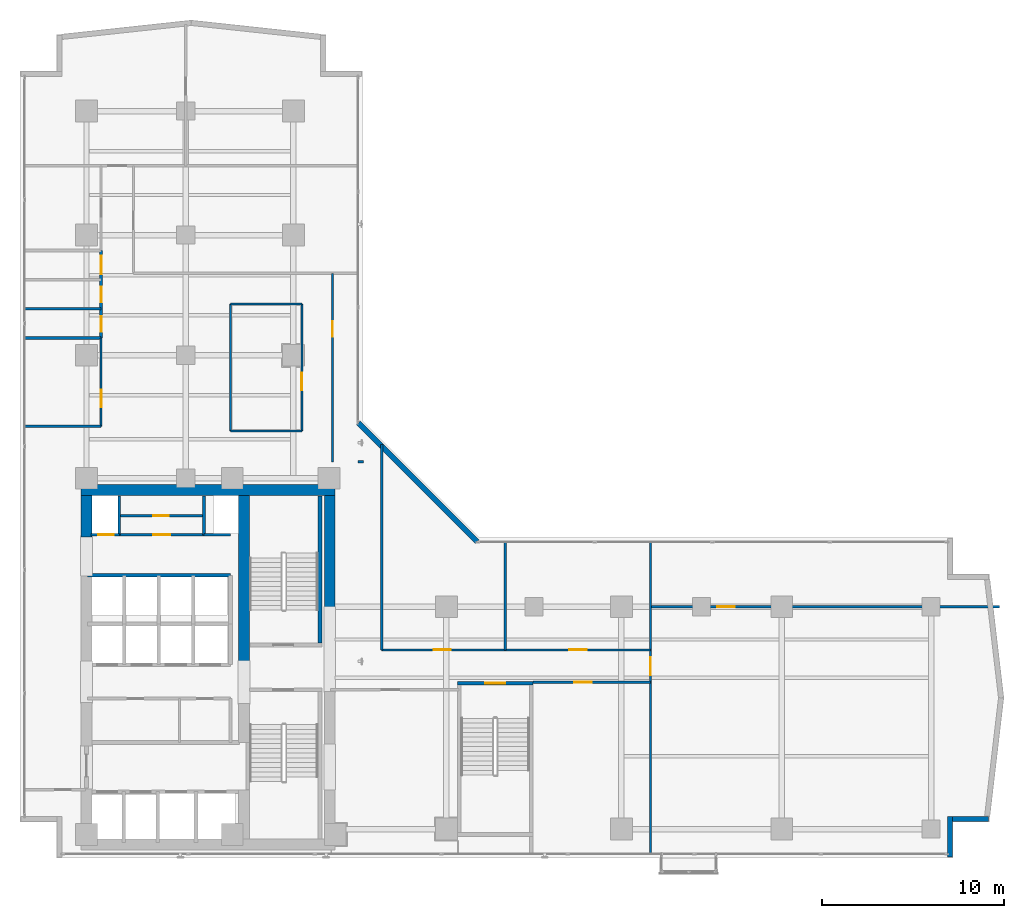
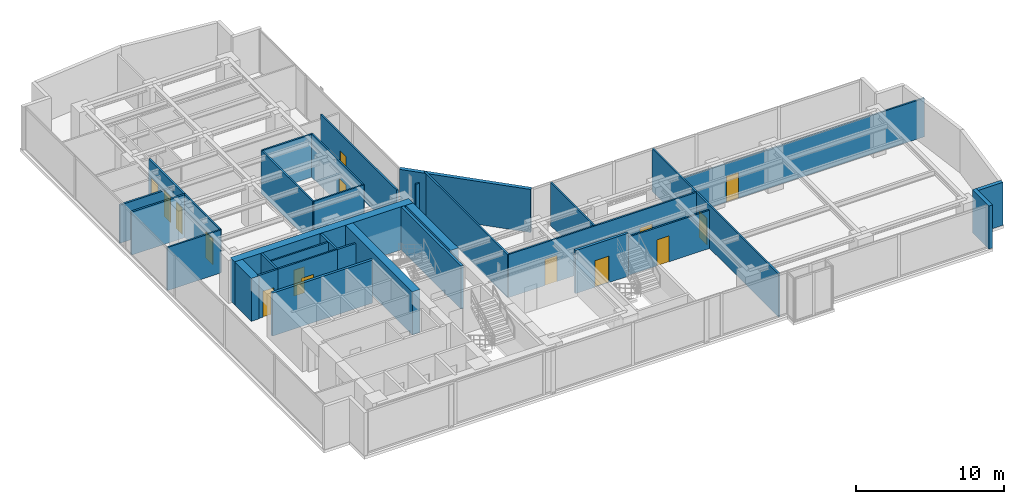
# One storey, part 20 of 26: 33 walls, 15 doors, 15 openings.
"""IFC4 building model written with IfcOpenShell, lengths in metres."""

from ifc_helpers import new_model, si_unit, direction, frame, frame_2d, origin, place, context, subcontext, project, spatial, rectangle, extrude, material, layer, layer_set, type_object, element, fill, save


model = new_model("IFC4")

# Units and contexts
model_context = context("Model", 3, precision=1e-05, world=origin(), true_north=direction((0.0, 1.0)))
body_context = subcontext(model_context, "Body", "Model", "MODEL_VIEW")
ifc_project = project(units=[si_unit("LENGTHUNIT", "METRE"), si_unit("AREAUNIT", "SQUARE_METRE"), si_unit("VOLUMEUNIT", "CUBIC_METRE"), si_unit("PLANEANGLEUNIT", "RADIAN"), si_unit("MASSUNIT", "GRAM", prefix="KILO")], contexts=[model_context])

# Site, building, storey
site_placement = place(None, origin())
site = spatial("IfcSite", under=ifc_project, at=site_placement, CompositionType="ELEMENT")
building_placement = place(site_placement, origin())
building = spatial("IfcBuilding", under=site, at=building_placement, Name="Kolvaren Waterfront Exchange", CompositionType="ELEMENT")
storey_placement = place(building_placement, frame((0.0, 0.0, 180.39990234375)))
storey = spatial("IfcBuildingStorey", under=building, at=storey_placement, Name="L46", CompositionType="ELEMENT", Elevation=180.39990234375)

# Walls
ifc_material_1 = material(Name="Precast concrete C40/50", Category="concrete")
ifc_layer_1 = layer(ifc_material_1, 0.280029296875, Name="Precast concrete C40/50")
ifc_layer_set_1 = layer_set([ifc_layer_1], Name="Precast concrete C40/50")
wall_type_1 = type_object("IfcWallType", Name="ARC-EXT-TERR-280", PredefinedType="SOLIDWALL", material=ifc_layer_set_1)
wall_1_placement = place(storey_placement, frame((54.840087890625, 3.659912109375, 0.0), z_axis=(0.0, 0.0, 1.0), x_axis=(0.0, 1.0, 0.0)))
element("IfcWall", 1, at=wall_1_placement, inside=storey, type_object=wall_type_1, Name="L46 notched corner spandrel pier SE-A", PredefinedType="SOLIDWALL", context=body_context, shape_type="SweptSolid", body=[
    extrude(rectangle(XDim=2.239990234375, YDim=0.280029296875, at=frame_2d((1.1201171875, 0.0))), origin(), (0.0, 0.0, 1.0), 3.56005859375),
])
wall_2_placement = place(storey_placement, frame((54.97998046875, 5.760009765625, 0.0), z_axis=(0.0, 0.0, 1.0), x_axis=(1.0, 0.0, 0.0)))
element("IfcWall", 2, at=wall_2_placement, inside=storey, type_object=wall_type_1, Name="L46 notched corner spandrel pier SE-B", PredefinedType="SOLIDWALL", context=body_context, shape_type="SweptSolid", body=[
    extrude(rectangle(XDim=1.9599609375, YDim=0.280029296875, at=frame_2d((0.97998046875, 0.0))), origin(), (0.0, 0.0, 1.0), 3.56005859375),
])
wall_3_placement = place(storey_placement, frame((28.885009765625, 20.97509765625, 0.0), z_axis=(0.0, 0.0, 1.0), x_axis=(-0.707106781187, 0.707106781187, 0.0)))
element("IfcWall", 3, at=wall_3_placement, inside=storey, type_object=wall_type_1, Name="L46 notched corner spandrel pier ELBOW", PredefinedType="SOLIDWALL", context=body_context, shape_type="SweptSolid", body=[
    extrude(rectangle(XDim=9.20654296875, YDim=0.280029296875, at=frame_2d((4.603271484375, 0.0))), origin(), (0.0, 0.0, 1.0), 3.56005859375),
])

# Wall, opening, door
ifc_material_2 = material(Name="Acoustic gypsum steel stud", Category="steel")
ifc_layer_2 = layer(ifc_material_2, 0.125, Name="Acoustic gypsum steel stud")
ifc_layer_set_2 = layer_set([ifc_layer_2], Name="Acoustic gypsum steel stud")
wall_type_2 = type_object("IfcWallType", Name="ARC-PART-125", PredefinedType="PARTITIONING", material=ifc_layer_set_2)
wall_4_placement = place(storey_placement, frame((9.25, 21.35009765625, 0.0), z_axis=(0.0, 0.0, 1.0), x_axis=(1.0, 0.0, 0.0)))
wall_4 = element("IfcWall", 4, at=wall_4_placement, inside=storey, type_object=wall_type_2, Name="L46 interior wall PW-L46-SVC-EX-S", PredefinedType="PARTITIONING", context=body_context, shape_type="SweptSolid", body=[
    extrude(rectangle(XDim=4.64990234375, YDim=0.125, at=frame_2d((2.324951171875, 0.0))), origin(), (0.0, 0.0, 1.0), 3.56005859375),
])
opening_1_placement = place(wall_4_placement, frame((1.85009765625, 0.0, 0.0)))
opening_1 = element("IfcOpeningElement", 5, at=opening_1_placement, cuts=wall_4, Name="Opening D02", PredefinedType="OPENING", context=body_context, shape_type="SweptSolid", body=[
    extrude(rectangle(XDim=0.949951171875, YDim=2.14990234375, at=frame_2d((0.47509765625, 1.074951171875))), frame((0.0, 0.072509765625, 0.0), z_axis=(0.0, -1.0, 0.0), x_axis=(1.0, 0.0, 0.0)), (0.0, 0.0, 1.0), 0.14501953125),
])
ifc_material_3 = material(Name="Oak veneer acoustic timber", Category="wood")
door_type_1 = type_object("IfcDoorType", Name="ARC-DR-950", OperationType="NOTDEFINED", PredefinedType="DOOR", material=ifc_material_3)
door_1_placement = place(opening_1_placement, origin())
door_1 = element("IfcDoor", 6, at=door_1_placement, inside=storey, type_object=door_type_1, Name="L46 door DR-L46-SVC-DR-1 (D02)", OperationType="SINGLE_SWING_LEFT", OverallHeight=2.14990234375, OverallWidth=0.949951171875, PredefinedType="DOOR", context=body_context, shape_type="SweptSolid", body=[
    extrude(rectangle(XDim=0.949951171875, YDim=2.14990234375, at=frame_2d((0.47509765625, 1.074951171875))), frame((0.0, 0.02490234375, 0.0), z_axis=(0.0, -1.0, 0.0), x_axis=(1.0, 0.0, 0.0)), (0.0, 0.0, 1.0), 0.050048828125),
])
fill(opening_1, door_1)

wall_5_placement = place(storey_placement, frame((9.25, 22.39990234375, 0.0), z_axis=(0.0, 0.0, 1.0), x_axis=(1.0, 0.0, 0.0)))
wall_5 = element("IfcWall", 7, at=wall_5_placement, inside=storey, type_object=wall_type_2, Name="L46 interior wall PW-L46-SVC-EX-HS", PredefinedType="PARTITIONING", context=body_context, shape_type="SweptSolid", body=[
    extrude(rectangle(XDim=4.64990234375, YDim=0.125, at=frame_2d((2.324951171875, 0.0))), origin(), (0.0, 0.0, 1.0), 3.56005859375),
])
opening_2_placement = place(wall_5_placement, frame((1.875, 0.0, 0.0)))
opening_2 = element("IfcOpeningElement", 8, at=opening_2_placement, cuts=wall_5, Name="Opening D01", PredefinedType="OPENING", context=body_context, shape_type="SweptSolid", body=[
    extrude(rectangle(XDim=0.85009765625, YDim=2.14990234375, at=frame_2d((0.425048828125, 1.074951171875))), frame((0.0, 0.072509765625, 0.0), z_axis=(0.0, -1.0, 0.0), x_axis=(1.0, 0.0, 0.0)), (0.0, 0.0, 1.0), 0.14501953125),
])
ifc_material_4 = material(Name="Oak veneer timber leaf", Category="wood")
door_type_2 = type_object("IfcDoorType", Name="ARC-DR-900", OperationType="NOTDEFINED", PredefinedType="DOOR", material=ifc_material_4)
door_2_placement = place(opening_2_placement, origin())
door_2 = element("IfcDoor", 9, at=door_2_placement, inside=storey, type_object=door_type_2, Name="L46 door DR-L46-SVC-DR-2 (D01)", OperationType="SINGLE_SWING_RIGHT", OverallHeight=2.14990234375, OverallWidth=0.85009765625, PredefinedType="DOOR", context=body_context, shape_type="SweptSolid", body=[
    extrude(rectangle(XDim=0.85009765625, YDim=2.14990234375, at=frame_2d((0.425048828125, 1.074951171875))), frame((0.0, 0.02490234375, 0.0), z_axis=(0.0, -1.0, 0.0), x_axis=(1.0, 0.0, 0.0)), (0.0, 0.0, 1.0), 0.050048828125),
])
fill(opening_2, door_2)

# Walls
for number, where, z_axis, x_axis, name in (
    (10, (15.35009765625, 27.050048828125, 0.0), (0.0, 0.0, 1.0), (1.0, 0.0, 0.0), "L46 interior wall PW-L46-ISL-S"),
    (11, (15.35009765625, 34.02001953125, 0.0), (0.0, 0.0, 1.0), (1.0, 0.0, 0.0), "L46 interior wall PW-L46-ISL-N"),
):
    element("IfcWall", number, at=place(storey_placement, frame(where, z_axis=z_axis, x_axis=x_axis)), inside=storey, type_object=wall_type_2, Name=name, PredefinedType="PARTITIONING", context=body_context, shape_type="SweptSolid", body=[
        extrude(rectangle(XDim=3.919921875, YDim=0.125, at=frame_2d((1.9599609375, 0.0))), origin(), (0.0, 0.0, 1.0), 3.56005859375),
    ])
wall_6_placement = place(storey_placement, frame((15.35009765625, 27.050048828125, 0.0), z_axis=(0.0, 0.0, 1.0), x_axis=(0.0, 1.0, 0.0)))
element("IfcWall", 12, at=wall_6_placement, inside=storey, type_object=wall_type_2, Name="L46 interior wall PW-L46-ISL-W", PredefinedType="PARTITIONING", context=body_context, shape_type="SweptSolid", body=[
    extrude(rectangle(XDim=6.969970703125, YDim=0.125, at=frame_2d((3.48486328125, 0.0))), origin(), (0.0, 0.0, 1.0), 3.56005859375),
])

# Wall, opening, door
wall_7_placement = place(storey_placement, frame((19.27001953125, 27.050048828125, 0.0), z_axis=(0.0, 0.0, 1.0), x_axis=(0.0, 1.0, 0.0)))
wall_7 = element("IfcWall", 13, at=wall_7_placement, inside=storey, type_object=wall_type_2, Name="L46 interior wall PW-L46-ISL-E", PredefinedType="PARTITIONING", context=body_context, shape_type="SweptSolid", body=[
    extrude(rectangle(XDim=6.969970703125, YDim=0.125, at=frame_2d((3.48486328125, 0.0))), origin(), (0.0, 0.0, 1.0), 3.56005859375),
])
opening_3_placement = place(wall_7_placement, frame((2.23681640625, 0.0, 0.0)))
opening_3 = element("IfcOpeningElement", 14, at=opening_3_placement, cuts=wall_7, Name="Opening D02", PredefinedType="OPENING", context=body_context, shape_type="SweptSolid", body=[
    extrude(rectangle(XDim=0.949951171875, YDim=2.14990234375, at=frame_2d((0.47509765625, 1.074951171875))), frame((0.0, 0.072509765625, 0.0), z_axis=(0.0, -1.0, 0.0), x_axis=(1.0, 0.0, 0.0)), (0.0, 0.0, 1.0), 0.14501953125),
])
door_3_placement = place(opening_3_placement, origin())
door_3 = element("IfcDoor", 15, at=door_3_placement, inside=storey, type_object=door_type_1, Name="L46 door DR-L46-ISL-D (D02)", OperationType="SINGLE_SWING_LEFT", OverallHeight=2.14990234375, OverallWidth=0.949951171875, PredefinedType="DOOR", context=body_context, shape_type="SweptSolid", body=[
    extrude(rectangle(XDim=0.949951171875, YDim=2.14990234375, at=frame_2d((0.47509765625, 1.074951171875))), frame((0.0, 0.02490234375, 0.0), z_axis=(0.0, -1.0, 0.0), x_axis=(1.0, 0.0, 0.0)), (0.0, 0.0, 1.0), 0.050048828125),
])
fill(opening_3, door_3)

wall_8_placement = place(storey_placement, frame((8.25, 27.300048828125, 0.0), z_axis=(0.0, 0.0, 1.0), x_axis=(0.0, 1.0, 0.0)))
wall_8 = element("IfcWall", 16, at=wall_8_placement, inside=storey, type_object=wall_type_2, Name="L46 interior wall PW-L46-PREWC-E", PredefinedType="PARTITIONING", context=body_context, shape_type="SweptSolid", body=[
    extrude(rectangle(XDim=4.849853515625, YDim=0.125, at=frame_2d((2.4248046875, 0.0))), origin(), (0.0, 0.0, 1.0), 3.56005859375),
])
opening_4_placement = place(wall_8_placement, frame((1.050048828125, 0.0, 0.0)))
opening_4 = element("IfcOpeningElement", 17, at=opening_4_placement, cuts=wall_8, Name="Opening D02", PredefinedType="OPENING", context=body_context, shape_type="SweptSolid", body=[
    extrude(rectangle(XDim=0.949951171875, YDim=2.14990234375, at=frame_2d((0.47509765625, 1.074951171875))), frame((0.0, 0.072509765625, 0.0), z_axis=(0.0, -1.0, 0.0), x_axis=(1.0, 0.0, 0.0)), (0.0, 0.0, 1.0), 0.14501953125),
])
door_4_placement = place(opening_4_placement, origin())
door_4 = element("IfcDoor", 18, at=door_4_placement, inside=storey, type_object=door_type_1, Name="L46 door DR-L46-PREWC-D (D02)", OperationType="SINGLE_SWING_RIGHT", OverallHeight=2.14990234375, OverallWidth=0.949951171875, PredefinedType="DOOR", context=body_context, shape_type="SweptSolid", body=[
    extrude(rectangle(XDim=0.949951171875, YDim=2.14990234375, at=frame_2d((0.47509765625, 1.074951171875))), frame((0.0, 0.02490234375, 0.0), z_axis=(0.0, -1.0, 0.0), x_axis=(1.0, 0.0, 0.0)), (0.0, 0.0, 1.0), 0.050048828125),
])
fill(opening_4, door_4)

# Wall
wall_9_placement = place(storey_placement, frame((4.0400390625, 27.300048828125, 0.0), z_axis=(0.0, 0.0, 1.0), x_axis=(1.0, 0.0, 0.0)))
element("IfcWall", 19, at=wall_9_placement, inside=storey, type_object=wall_type_2, Name="L46 interior wall PW-L46-PREWC-S", PredefinedType="PARTITIONING", context=body_context, shape_type="SweptSolid", body=[
    extrude(rectangle(XDim=4.2099609375, YDim=0.125, at=frame_2d((2.10498046875, 0.0))), origin(), (0.0, 0.0, 1.0), 3.56005859375),
])

# Wall, opening, door
wall_10_placement = place(storey_placement, frame((20.949951171875, 25.35009765625, 0.0), z_axis=(0.0, 0.0, 1.0), x_axis=(0.0, 1.0, 0.0)))
wall_10 = element("IfcWall", 20, at=wall_10_placement, inside=storey, type_object=wall_type_2, Name="L46 interior wall PW-L46-RFLANK-W", PredefinedType="PARTITIONING", context=body_context, shape_type="SweptSolid", body=[
    extrude(rectangle(XDim=10.349853515625, YDim=0.125, at=frame_2d((5.1748046875, 0.0))), origin(), (0.0, 0.0, 1.0), 3.56005859375),
])
opening_5_placement = place(wall_10_placement, frame((6.859375, 0.0, 0.0)))
opening_5 = element("IfcOpeningElement", 21, at=opening_5_placement, cuts=wall_10, Name="Opening D01", PredefinedType="OPENING", context=body_context, shape_type="SweptSolid", body=[
    extrude(rectangle(XDim=0.85009765625, YDim=2.14990234375, at=frame_2d((0.425048828125, 1.074951171875))), frame((0.0, 0.072509765625, 0.0), z_axis=(0.0, -1.0, 0.0), x_axis=(1.0, 0.0, 0.0)), (0.0, 0.0, 1.0), 0.14501953125),
])
door_5_placement = place(opening_5_placement, origin())
door_5 = element("IfcDoor", 22, at=door_5_placement, inside=storey, type_object=door_type_2, Name="L46 door DR-L46-RFLANK-D (D01)", OperationType="SINGLE_SWING_RIGHT", OverallHeight=2.14990234375, OverallWidth=0.85009765625, PredefinedType="DOOR", context=body_context, shape_type="SweptSolid", body=[
    extrude(rectangle(XDim=0.85009765625, YDim=2.14990234375, at=frame_2d((0.425048828125, 1.074951171875))), frame((0.0, 0.02490234375, 0.0), z_axis=(0.0, -1.0, 0.0), x_axis=(1.0, 0.0, 0.0)), (0.0, 0.0, 1.0), 0.050048828125),
])
fill(opening_5, door_5)

# Wall
wall_11_placement = place(storey_placement, frame((22.64990234375, 25.35009765625, 0.0), z_axis=(0.0, 0.0, 1.0), x_axis=(-1.0, 0.0, 0.0)))
element("IfcWall", 23, at=wall_11_placement, inside=storey, type_object=wall_type_2, Name="L46 interior wall PW-L46-RFLANK-S", PredefinedType="PARTITIONING", context=body_context, shape_type="SweptSolid", body=[
    extrude(rectangle(XDim=0.289794921875, YDim=0.125, at=frame_2d((0.14501953125, 0.0))), origin(), (0.0, 0.0, 1.0), 3.56005859375),
])

# Wall, opening, door
wall_12_placement = place(storey_placement, frame((31.949951171875, 13.25, 0.0), z_axis=(0.0, 0.0, 1.0), x_axis=(1.0, 0.0, 0.0)))
wall_12 = element("IfcWall", 24, at=wall_12_placement, inside=storey, type_object=wall_type_2, Name="L46 interior wall PW-L46-ES-CORR", PredefinedType="PARTITIONING", context=body_context, shape_type="SweptSolid", body=[
    extrude(rectangle(XDim=6.449951171875, YDim=0.125, at=frame_2d((3.22509765625, 0.0))), origin(), (0.0, 0.0, 1.0), 3.16015625),
])
opening_6_placement = place(wall_12_placement, frame((2.27490234375, 0.0, 0.0)))
opening_6 = element("IfcOpeningElement", 25, at=opening_6_placement, cuts=wall_12, Name="Opening D02", PredefinedType="OPENING", context=body_context, shape_type="SweptSolid", body=[
    extrude(rectangle(XDim=0.949951171875, YDim=2.14990234375, at=frame_2d((0.47509765625, 1.074951171875))), frame((0.0, 0.072509765625, 0.0), z_axis=(0.0, -1.0, 0.0), x_axis=(1.0, 0.0, 0.0)), (0.0, 0.0, 1.0), 0.14501953125),
])
door_6_placement = place(opening_6_placement, origin())
door_6 = element("IfcDoor", 26, at=door_6_placement, inside=storey, type_object=door_type_1, Name="L46 door DR-L46-ES-D-1 (D02)", OperationType="SINGLE_SWING_LEFT", OverallHeight=2.14990234375, OverallWidth=0.949951171875, PredefinedType="DOOR", context=body_context, shape_type="SweptSolid", body=[
    extrude(rectangle(XDim=0.949951171875, YDim=2.14990234375, at=frame_2d((0.47509765625, 1.074951171875))), frame((0.0, 0.02490234375, 0.0), z_axis=(0.0, -1.0, 0.0), x_axis=(1.0, 0.0, 0.0)), (0.0, 0.0, 1.0), 0.050048828125),
])
fill(opening_6, door_6)

wall_13_placement = place(storey_placement, frame((38.39990234375, 3.840087890625, 0.0), z_axis=(0.0, 0.0, 1.0), x_axis=(0.0, 1.0, 0.0)))
wall_13 = element("IfcWall", 27, at=wall_13_placement, inside=storey, type_object=wall_type_2, Name="L46 interior wall PW-L46-ETIP-W", PredefinedType="PARTITIONING", context=body_context, shape_type="SweptSolid", body=[
    extrude(rectangle(XDim=17.119873046875, YDim=0.125, at=frame_2d((8.56005859375, 0.0))), origin(), (0.0, 0.0, 1.0), 3.56005859375),
])
opening_7_placement = place(wall_13_placement, frame((9.800048828125, 0.0, 0.0)))
opening_7 = element("IfcOpeningElement", 28, at=opening_7_placement, cuts=wall_13, Name="Opening D03", PredefinedType="OPENING", context=body_context, shape_type="SweptSolid", body=[
    extrude(rectangle(XDim=1.0, YDim=2.199951171875, at=frame_2d((0.5, 1.10009765625))), frame((0.0, 0.072509765625, 0.0), z_axis=(0.0, -1.0, 0.0), x_axis=(1.0, 0.0, 0.0)), (0.0, 0.0, 1.0), 0.14501953125),
])
ifc_material_5 = material(Name="Oak veneer accessible timber", Category="wood")
door_type_3 = type_object("IfcDoorType", Name="ARC-DR-1000", OperationType="NOTDEFINED", PredefinedType="DOOR", material=ifc_material_5)
door_7_placement = place(opening_7_placement, origin())
door_7 = element("IfcDoor", 29, at=door_7_placement, inside=storey, type_object=door_type_3, Name="L46 door DR-L46-ETIP1-D (D03)", OperationType="SINGLE_SWING_RIGHT", OverallHeight=2.199951171875, OverallWidth=1.0, PredefinedType="DOOR", context=body_context, shape_type="SweptSolid", body=[
    extrude(rectangle(XDim=1.0, YDim=2.199951171875, at=frame_2d((0.5, 1.10009765625))), frame((0.0, 0.02490234375, 0.0), z_axis=(0.0, -1.0, 0.0), x_axis=(1.0, 0.0, 0.0)), (0.0, 0.0, 1.0), 0.050048828125),
])
fill(opening_7, door_7)

wall_14_placement = place(storey_placement, frame((38.39990234375, 17.39990234375, 0.0), z_axis=(0.0, 0.0, 1.0), x_axis=(1.0, 0.0, 0.0)))
wall_14 = element("IfcWall", 30, at=wall_14_placement, inside=storey, type_object=wall_type_2, Name="L46 interior wall PW-L46-ETIP-MID", PredefinedType="PARTITIONING", context=body_context, shape_type="SweptSolid", body=[
    extrude(rectangle(XDim=19.16015625, YDim=0.125, at=frame_2d((9.580078125, 0.0))), origin(), (0.0, 0.0, 1.0), 3.2001953125),
])
opening_8_placement = place(wall_14_placement, frame((3.668701171875, 0.0, 0.0)))
opening_8 = element("IfcOpeningElement", 31, at=opening_8_placement, cuts=wall_14, Name="Opening D02", PredefinedType="OPENING", context=body_context, shape_type="SweptSolid", body=[
    extrude(rectangle(XDim=0.949951171875, YDim=2.14990234375, at=frame_2d((0.47509765625, 1.074951171875))), frame((0.0, 0.072509765625, 0.0), z_axis=(0.0, -1.0, 0.0), x_axis=(1.0, 0.0, 0.0)), (0.0, 0.0, 1.0), 0.14501953125),
])
door_8_placement = place(opening_8_placement, origin())
door_8 = element("IfcDoor", 32, at=door_8_placement, inside=storey, type_object=door_type_1, Name="L46 door DR-L46-ETIP2-D (D02)", OperationType="SINGLE_SWING_LEFT", OverallHeight=2.14990234375, OverallWidth=0.949951171875, PredefinedType="DOOR", context=body_context, shape_type="SweptSolid", body=[
    extrude(rectangle(XDim=0.949951171875, YDim=2.14990234375, at=frame_2d((0.47509765625, 1.074951171875))), frame((0.0, 0.02490234375, 0.0), z_axis=(0.0, -1.0, 0.0), x_axis=(1.0, 0.0, 0.0)), (0.0, 0.0, 1.0), 0.050048828125),
])
fill(opening_8, door_8)

# Wall
wall_15_placement = place(storey_placement, frame((23.64990234375, 15.030029296875, 0.0), z_axis=(0.0, 0.0, 1.0), x_axis=(0.0, 1.0, 0.0)))
element("IfcWall", 33, at=wall_15_placement, inside=storey, type_object=wall_type_2, Name="L46 interior wall PW-L46-EN-W0", PredefinedType="PARTITIONING", context=body_context, shape_type="SweptSolid", body=[
    extrude(rectangle(XDim=11.280029296875, YDim=0.125, at=frame_2d((5.64013671875, 0.0))), origin(), (0.0, 0.0, 1.0), 3.56005859375),
])

# Wall, openings, doors
wall_16_placement = place(storey_placement, frame((23.64990234375, 15.030029296875, 0.0), z_axis=(0.0, 0.0, 1.0), x_axis=(1.0, 0.0, 0.0)))
wall_16 = element("IfcWall", 34, at=wall_16_placement, inside=storey, type_object=wall_type_2, Name="L46 interior wall PW-L46-EN-CORR", PredefinedType="PARTITIONING", context=body_context, shape_type="SweptSolid", body=[
    extrude(rectangle(XDim=14.75, YDim=0.125, at=frame_2d((7.375, 0.0))), origin(), (0.0, 0.0, 1.0), 3.56005859375),
])
opening_9_placement = place(wall_16_placement, frame((2.843017578125, 0.0, 0.0)))
opening_9 = element("IfcOpeningElement", 35, at=opening_9_placement, cuts=wall_16, Name="Opening D02", PredefinedType="OPENING", context=body_context, shape_type="SweptSolid", body=[
    extrude(rectangle(XDim=0.949951171875, YDim=2.14990234375, at=frame_2d((0.47509765625, 1.074951171875))), frame((0.0, 0.072509765625, 0.0), z_axis=(0.0, -1.0, 0.0), x_axis=(1.0, 0.0, 0.0)), (0.0, 0.0, 1.0), 0.14501953125),
])
opening_10_placement = place(wall_16_placement, frame((10.2900390625, 0.0, 0.0)))
opening_10 = element("IfcOpeningElement", 36, at=opening_10_placement, cuts=wall_16, Name="Opening D02", PredefinedType="OPENING", context=body_context, shape_type="SweptSolid", body=[
    extrude(rectangle(XDim=0.949951171875, YDim=2.14990234375, at=frame_2d((0.47509765625, 1.074951171875))), frame((0.0, 0.072509765625, 0.0), z_axis=(0.0, -1.0, 0.0), x_axis=(1.0, 0.0, 0.0)), (0.0, 0.0, 1.0), 0.14501953125),
])
door_9_placement = place(opening_9_placement, origin())
door_9 = element("IfcDoor", 37, at=door_9_placement, inside=storey, type_object=door_type_1, Name="L46 door DR-L46-EN-D-1 (D02)", OperationType="SINGLE_SWING_RIGHT", OverallHeight=2.14990234375, OverallWidth=0.949951171875, PredefinedType="DOOR", context=body_context, shape_type="SweptSolid", body=[
    extrude(rectangle(XDim=0.949951171875, YDim=2.14990234375, at=frame_2d((0.47509765625, 1.074951171875))), frame((0.0, 0.02490234375, 0.0), z_axis=(0.0, -1.0, 0.0), x_axis=(1.0, 0.0, 0.0)), (0.0, 0.0, 1.0), 0.050048828125),
])
fill(opening_9, door_9)
door_10_placement = place(opening_10_placement, origin())
door_10 = element("IfcDoor", 38, at=door_10_placement, inside=storey, type_object=door_type_1, Name="L46 door DR-L46-EN-D-2 (D02)", OperationType="SINGLE_SWING_LEFT", OverallHeight=2.14990234375, OverallWidth=0.949951171875, PredefinedType="DOOR", context=body_context, shape_type="SweptSolid", body=[
    extrude(rectangle(XDim=0.949951171875, YDim=2.14990234375, at=frame_2d((0.47509765625, 1.074951171875))), frame((0.0, 0.02490234375, 0.0), z_axis=(0.0, -1.0, 0.0), x_axis=(1.0, 0.0, 0.0)), (0.0, 0.0, 1.0), 0.050048828125),
])
fill(opening_10, door_10)

# Walls
wall_17_placement = place(storey_placement, frame((30.429931640625, 15.030029296875, 0.0), z_axis=(0.0, 0.0, 1.0), x_axis=(0.0, 1.0, 0.0)))
element("IfcWall", 39, at=wall_17_placement, inside=storey, type_object=wall_type_2, Name="L46 interior wall PW-L46-EN-DIV-1", PredefinedType="PARTITIONING", context=body_context, shape_type="SweptSolid", body=[
    extrude(rectangle(XDim=5.929931640625, YDim=0.125, at=frame_2d((2.96484375, 0.0))), origin(), (0.0, 0.0, 1.0), 3.56005859375),
])
ifc_material_6 = material(Name="Gypsum fireboard steel stud", Category="steel")
ifc_layer_3 = layer(ifc_material_6, 0.14990234375, Name="Gypsum fireboard steel stud")
ifc_layer_set_3 = layer_set([ifc_layer_3], Name="Gypsum fireboard steel stud")
wall_type_3 = type_object("IfcWallType", Name="ARC-PART-150", PredefinedType="PARTITIONING", material=ifc_layer_set_3)
for number, where, z_axis, x_axis, name in (
    (40, (9.25, 21.35009765625, 0.0), (0.0, 0.0, 1.0), (0.0, 1.0, 0.0), "L46 interior wall PW-L46-SVC-R1"),
    (41, (13.89990234375, 21.35009765625, 0.0), (0.0, 0.0, 1.0), (0.0, 1.0, 0.0), "L46 interior wall PW-L46-SVC-R2"),
):
    element("IfcWall", number, at=place(storey_placement, frame(where, z_axis=z_axis, x_axis=x_axis)), inside=storey, type_object=wall_type_3, Name=name, PredefinedType="PARTITIONING", context=body_context, shape_type="SweptSolid", body=[
        extrude(rectangle(XDim=2.1298828125, YDim=0.14990234375, at=frame_2d((1.06494140625, 0.0))), origin(), (0.0, 0.0, 1.0), 3.56005859375),
    ])

# Wall, opening, door
wall_18_placement = place(storey_placement, frame((7.699951171875, 21.35009765625, 0.0), z_axis=(0.0, 0.0, 1.0), x_axis=(1.0, 0.0, 0.0)))
wall_18 = element("IfcWall", 42, at=wall_18_placement, inside=storey, type_object=wall_type_3, Name="L46 interior wall PW-L46-SVC-RE-S", PredefinedType="PARTITIONING", context=body_context, shape_type="SweptSolid", body=[
    extrude(rectangle(XDim=1.550048828125, YDim=0.14990234375, at=frame_2d((0.77490234375, 0.0))), origin(), (0.0, 0.0, 1.0), 3.56005859375),
])
opening_11_placement = place(wall_18_placement, frame((0.389892578125, 0.0, 0.0)))
opening_11 = element("IfcOpeningElement", 43, at=opening_11_placement, cuts=wall_18, Name="Opening FD1", PredefinedType="OPENING", context=body_context, shape_type="SweptSolid", body=[
    extrude(rectangle(XDim=0.85009765625, YDim=2.14990234375, at=frame_2d((0.425048828125, 1.074951171875))), frame((0.0, 0.0849609375, 0.0), z_axis=(0.0, -1.0, 0.0), x_axis=(1.0, 0.0, 0.0)), (0.0, 0.0, 1.0), 0.169921875),
])
ifc_material_7 = material(Name="Pressed steel fire leaf", Category="steel")
door_type_4 = type_object("IfcDoorType", Name="ARC-FD-900", OperationType="NOTDEFINED", PredefinedType="DOOR", material=ifc_material_7)
door_11_placement = place(opening_11_placement, origin())
door_11 = element("IfcDoor", 44, at=door_11_placement, inside=storey, type_object=door_type_4, Name="L46 door DR-L46-RISER-E-DR (FD1)", OperationType="SINGLE_SWING_RIGHT", OverallHeight=2.14990234375, OverallWidth=0.85009765625, PredefinedType="DOOR", context=body_context, shape_type="SweptSolid", body=[
    extrude(rectangle(XDim=0.85009765625, YDim=2.14990234375, at=frame_2d((0.425048828125, 1.074951171875))), frame((0.0, 0.02490234375, 0.0), z_axis=(0.0, -1.0, 0.0), x_axis=(1.0, 0.0, 0.0)), (0.0, 0.0, 1.0), 0.050048828125),
])
fill(opening_11, door_11)

# Walls
wall_19_placement = place(storey_placement, frame((13.89990234375, 21.35009765625, 0.0), z_axis=(0.0, 0.0, 1.0), x_axis=(1.0, 0.0, 0.0)))
element("IfcWall", 45, at=wall_19_placement, inside=storey, type_object=wall_type_3, Name="L46 interior wall PW-L46-SVC-RP-S", PredefinedType="PARTITIONING", context=body_context, shape_type="SweptSolid", body=[
    extrude(rectangle(XDim=1.4501953125, YDim=0.14990234375, at=frame_2d((0.72509765625, 0.0))), origin(), (0.0, 0.0, 1.0), 3.56005859375),
])
ifc_material_8 = material(Name="Moisture-resistant gypsum stud")
ifc_layer_4 = layer(ifc_material_8, 0.14990234375, Name="Moisture-resistant gypsum stud")
ifc_layer_set_4 = layer_set([ifc_layer_4], Name="Moisture-resistant gypsum stud")
wall_type_4 = type_object("IfcWallType", Name="ARC-PLUMB-150", PredefinedType="PLUMBINGWALL", material=ifc_layer_set_4)
wall_20_placement = place(storey_placement, frame((4.0400390625, 32.14990234375, 0.0), z_axis=(0.0, 0.0, 1.0), x_axis=(1.0, 0.0, 0.0)))
element("IfcWall", 46, at=wall_20_placement, inside=storey, type_object=wall_type_4, Name="L46 interior wall PW-L46-WC-0", PredefinedType="PLUMBINGWALL", context=body_context, shape_type="SweptSolid", body=[
    extrude(rectangle(XDim=4.2099609375, YDim=0.14990234375, at=frame_2d((2.10498046875, 0.0))), origin(), (0.0, 0.0, 1.0), 3.56005859375),
])

# Wall, openings, doors
wall_21_placement = place(storey_placement, frame((8.25, 32.14990234375, 0.0), z_axis=(0.0, 0.0, 1.0), x_axis=(0.0, 1.0, 0.0)))
wall_21 = element("IfcWall", 47, at=wall_21_placement, inside=storey, type_object=wall_type_4, Name="L46 interior wall PW-L46-WC-E", PredefinedType="PLUMBINGWALL", context=body_context, shape_type="SweptSolid", body=[
    extrude(rectangle(XDim=4.800048828125, YDim=0.14990234375, at=frame_2d((2.39990234375, 0.0))), origin(), (0.0, 0.0, 1.0), 3.56005859375),
])
opening_12_placement = place(wall_21_placement, frame((0.35009765625, 0.0, 0.0)))
opening_12 = element("IfcOpeningElement", 48, at=opening_12_placement, cuts=wall_21, Name="Opening D01", PredefinedType="OPENING", context=body_context, shape_type="SweptSolid", body=[
    extrude(rectangle(XDim=0.85009765625, YDim=2.14990234375, at=frame_2d((0.425048828125, 1.074951171875))), frame((0.0, 0.0849609375, 0.0), z_axis=(0.0, -1.0, 0.0), x_axis=(1.0, 0.0, 0.0)), (0.0, 0.0, 1.0), 0.169921875),
])
opening_13_placement = place(wall_21_placement, frame((1.949951171875, 0.0, 0.0)))
opening_13 = element("IfcOpeningElement", 49, at=opening_13_placement, cuts=wall_21, Name="Opening D01", PredefinedType="OPENING", context=body_context, shape_type="SweptSolid", body=[
    extrude(rectangle(XDim=0.85009765625, YDim=2.14990234375, at=frame_2d((0.425048828125, 1.074951171875))), frame((0.0, 0.0849609375, 0.0), z_axis=(0.0, -1.0, 0.0), x_axis=(1.0, 0.0, 0.0)), (0.0, 0.0, 1.0), 0.169921875),
])
opening_14_placement = place(wall_21_placement, frame((3.5, 0.0, 0.0)))
opening_14 = element("IfcOpeningElement", 50, at=opening_14_placement, cuts=wall_21, Name="Opening D03", PredefinedType="OPENING", context=body_context, shape_type="SweptSolid", body=[
    extrude(rectangle(XDim=1.0, YDim=2.199951171875, at=frame_2d((0.5, 1.10009765625))), frame((0.0, 0.0849609375, 0.0), z_axis=(0.0, -1.0, 0.0), x_axis=(1.0, 0.0, 0.0)), (0.0, 0.0, 1.0), 0.169921875),
])
door_12_placement = place(opening_14_placement, origin())
door_12 = element("IfcDoor", 51, at=door_12_placement, inside=storey, type_object=door_type_3, Name="L46 door DR-L46-WCA-D (D03)", OperationType="SINGLE_SWING_LEFT", OverallHeight=2.199951171875, OverallWidth=1.0, PredefinedType="DOOR", context=body_context, shape_type="SweptSolid", body=[
    extrude(rectangle(XDim=1.0, YDim=2.199951171875, at=frame_2d((0.5, 1.10009765625))), frame((0.0, 0.02490234375, 0.0), z_axis=(0.0, -1.0, 0.0), x_axis=(1.0, 0.0, 0.0)), (0.0, 0.0, 1.0), 0.050048828125),
])
fill(opening_14, door_12)
door_13_placement = place(opening_12_placement, origin())
door_13 = element("IfcDoor", 52, at=door_13_placement, inside=storey, type_object=door_type_2, Name="L46 door DR-L46-WCM-D (D01)", OperationType="SINGLE_SWING_LEFT", OverallHeight=2.14990234375, OverallWidth=0.85009765625, PredefinedType="DOOR", context=body_context, shape_type="SweptSolid", body=[
    extrude(rectangle(XDim=0.85009765625, YDim=2.14990234375, at=frame_2d((0.425048828125, 1.074951171875))), frame((0.0, 0.02490234375, 0.0), z_axis=(0.0, -1.0, 0.0), x_axis=(1.0, 0.0, 0.0)), (0.0, 0.0, 1.0), 0.050048828125),
])
fill(opening_12, door_13)
door_14_placement = place(opening_13_placement, origin())
door_14 = element("IfcDoor", 53, at=door_14_placement, inside=storey, type_object=door_type_2, Name="L46 door DR-L46-WCF-D (D01)", OperationType="SINGLE_SWING_RIGHT", OverallHeight=2.14990234375, OverallWidth=0.85009765625, PredefinedType="DOOR", context=body_context, shape_type="SweptSolid", body=[
    extrude(rectangle(XDim=0.85009765625, YDim=2.14990234375, at=frame_2d((0.425048828125, 1.074951171875))), frame((0.0, 0.02490234375, 0.0), z_axis=(0.0, -1.0, 0.0), x_axis=(1.0, 0.0, 0.0)), (0.0, 0.0, 1.0), 0.050048828125),
])
fill(opening_13, door_14)

# Walls
wall_22_placement = place(storey_placement, frame((4.0400390625, 33.75, 0.0), z_axis=(0.0, 0.0, 1.0), x_axis=(1.0, 0.0, 0.0)))
element("IfcWall", 54, at=wall_22_placement, inside=storey, type_object=wall_type_4, Name="L46 interior wall PW-L46-WC-1", PredefinedType="PLUMBINGWALL", context=body_context, shape_type="SweptSolid", body=[
    extrude(rectangle(XDim=4.2099609375, YDim=0.14990234375, at=frame_2d((2.10498046875, 0.0))), origin(), (0.0, 0.0, 1.0), 3.16015625),
])
ifc_material_9 = material(Name="Concrete C40/50", Category="concrete")
ifc_layer_5 = layer(ifc_material_9, 0.199951171875, Name="Concrete C40/50")
ifc_layer_set_5 = layer_set([ifc_layer_5], Name="Concrete C40/50")
wall_type_5 = type_object("IfcWallType", Name="ARC-SHAFT-200", PredefinedType="PARTITIONING", material=ifc_layer_set_5)
wall_23_placement = place(storey_placement, frame((20.260009765625, 15.39990234375, 0.0), z_axis=(0.0, 0.0, 1.0), x_axis=(0.0, 1.0, 0.0)))
element("IfcWall", 55, at=wall_23_placement, inside=storey, type_object=wall_type_5, Name="L46 structural stairwell wall PW-L46-ST2-E", PredefinedType="SHEAR", context=body_context, shape_type="SweptSolid", body=[
    extrude(rectangle(XDim=8.090087890625, YDim=0.199951171875, at=frame_2d((4.044921875, 0.0))), origin(), (0.0, 0.0, 1.0), 3.56005859375),
])

# Wall, opening, door
wall_24_placement = place(storey_placement, frame((27.800048828125, 13.199951171875, 0.0), z_axis=(0.0, 0.0, 1.0), x_axis=(1.0, 0.0, 0.0)))
wall_24 = element("IfcWall", 56, at=wall_24_placement, inside=storey, type_object=wall_type_5, Name="L46 structural stairwell wall PW-L46-ST3-N", PredefinedType="SHEAR", context=body_context, shape_type="SweptSolid", body=[
    extrude(rectangle(XDim=4.159912109375, YDim=0.199951171875, at=frame_2d((2.080078125, 0.0))), origin(), (0.0, 0.0, 1.0), 3.56005859375),
])
opening_15_placement = place(wall_24_placement, frame((1.530029296875, 0.0, 0.0)))
opening_15 = element("IfcOpeningElement", 57, at=opening_15_placement, cuts=wall_24, Name="Opening FD2", PredefinedType="OPENING", context=body_context, shape_type="SweptSolid", body=[
    extrude(rectangle(XDim=1.10009765625, YDim=2.199951171875, at=frame_2d((0.550048828125, 1.10009765625))), frame((0.0, 0.10986328125, 0.0), z_axis=(0.0, -1.0, 0.0), x_axis=(1.0, 0.0, 0.0)), (0.0, 0.0, 1.0), 0.219970703125),
])
ifc_material_10 = material(Name="Pressed steel smoke-seal fire door", Category="steel")
door_type_5 = type_object("IfcDoorType", Name="ARC-FD-1100", OperationType="NOTDEFINED", PredefinedType="DOOR", material=ifc_material_10)
door_15_placement = place(opening_15_placement, frame((1.10009765625, 0.0, 0.0), z_axis=(0.0, 0.0, 1.0), x_axis=(-1.0, 0.0, 0.0)))
door_15 = element("IfcDoor", 58, at=door_15_placement, inside=storey, type_object=door_type_5, Name="L46 door DR-L46-ST3-IN (FD2)", OperationType="SINGLE_SWING_RIGHT", OverallHeight=2.199951171875, OverallWidth=1.10009765625, PredefinedType="DOOR", context=body_context, shape_type="SweptSolid", body=[
    extrude(rectangle(XDim=1.10009765625, YDim=2.199951171875, at=frame_2d((0.550048828125, 1.10009765625))), frame((0.0, 0.02490234375, 0.0), z_axis=(0.0, -1.0, 0.0), x_axis=(1.0, 0.0, 0.0)), (0.0, 0.0, 1.0), 0.050048828125),
])
fill(opening_15, door_15)

# Walls
wall_25_placement = place(storey_placement, frame((7.5, 19.1201171875, 0.0), z_axis=(0.0, 0.0, 1.0), x_axis=(1.0, 0.0, 0.0)))
element("IfcWall", 59, at=wall_25_placement, inside=storey, type_object=wall_type_5, Name="L46 interior wall PW-L46-PH-N", PredefinedType="PARTITIONING", context=body_context, shape_type="SweptSolid", body=[
    extrude(rectangle(XDim=7.85009765625, YDim=0.199951171875, at=frame_2d((3.925048828125, 0.0))), origin(), (0.0, 0.0, 1.0), 3.56005859375),
])
ifc_material_11 = material(Name="Concrete C60/75", Category="concrete")
ifc_layer_6 = layer(ifc_material_11, 0.60009765625, Name="Concrete C60/75")
ifc_layer_set_6 = layer_set([ifc_layer_6], Name="Concrete C60/75")
wall_type_6 = type_object("IfcWallType", Name="STR-CWALL-600", PredefinedType="SHEAR", material=ifc_layer_set_6)
wall_26_placement = place(storey_placement, frame((7.14990234375, 23.800048828125, 0.0), z_axis=(0.0, 0.0, 1.0), x_axis=(1.0, 0.0, 0.0)))
element("IfcWall", 60, at=wall_26_placement, inside=storey, type_object=wall_type_6, Name="L46 rear-core shear wall N", PredefinedType="SHEAR", context=body_context, shape_type="SweptSolid", body=[
    extrude(rectangle(XDim=13.9501953125, YDim=0.60009765625, at=frame_2d((6.97509765625, 0.0))), origin(), (0.0, 0.0, 1.0), 3.56005859375),
])
wall_27_placement = place(storey_placement, frame((7.449951171875, 21.239990234375, 0.0), z_axis=(0.0, 0.0, 1.0), x_axis=(0.0, 1.0, 0.0)))
element("IfcWall", 61, at=wall_27_placement, inside=storey, type_object=wall_type_6, Name="L46 rear-core shear wall W3", PredefinedType="SHEAR", context=body_context, shape_type="SweptSolid", body=[
    extrude(rectangle(XDim=2.260009765625, YDim=0.60009765625, at=frame_2d((1.1298828125, 0.0))), origin(), (0.0, 0.0, 1.0), 3.56005859375),
])
wall_28_placement = place(storey_placement, frame((20.800048828125, 17.35009765625, 0.0), z_axis=(0.0, 0.0, 1.0), x_axis=(0.0, 1.0, 0.0)))
element("IfcWall", 62, at=wall_28_placement, inside=storey, type_object=wall_type_6, Name="L46 rear-core shear wall E3", PredefinedType="SHEAR", context=body_context, shape_type="SweptSolid", body=[
    extrude(rectangle(XDim=6.14990234375, YDim=0.60009765625, at=frame_2d((3.074951171875, 0.0))), origin(), (0.0, 0.0, 1.0), 3.56005859375),
])
wall_29_placement = place(storey_placement, frame((16.10009765625, 14.39990234375, 0.0), z_axis=(0.0, 0.0, 1.0), x_axis=(0.0, 1.0, 0.0)))
element("IfcWall", 63, at=wall_29_placement, inside=storey, type_object=wall_type_6, Name="L46 rear-core shear wall M3", PredefinedType="SHEAR", context=body_context, shape_type="SweptSolid", body=[
    extrude(rectangle(XDim=9.10009765625, YDim=0.60009765625, at=frame_2d((4.550048828125, 0.0))), origin(), (0.0, 0.0, 1.0), 3.56005859375),
])

save(model, "model.ifc")
